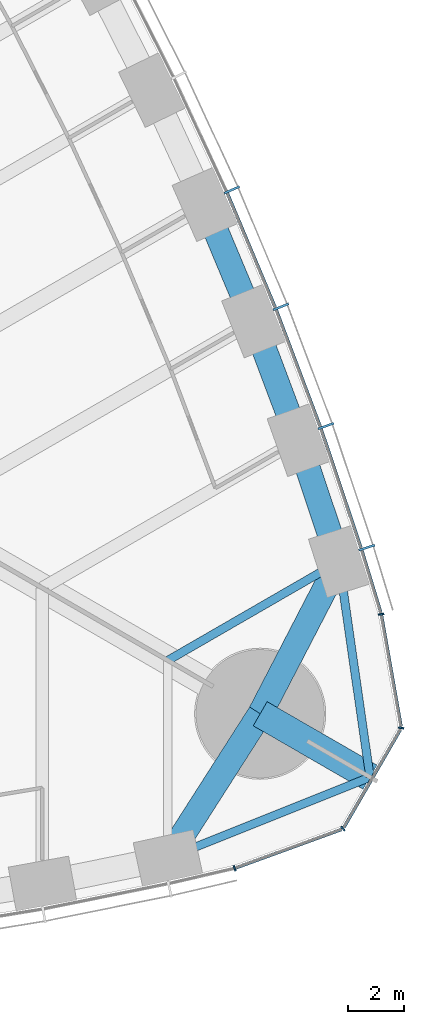
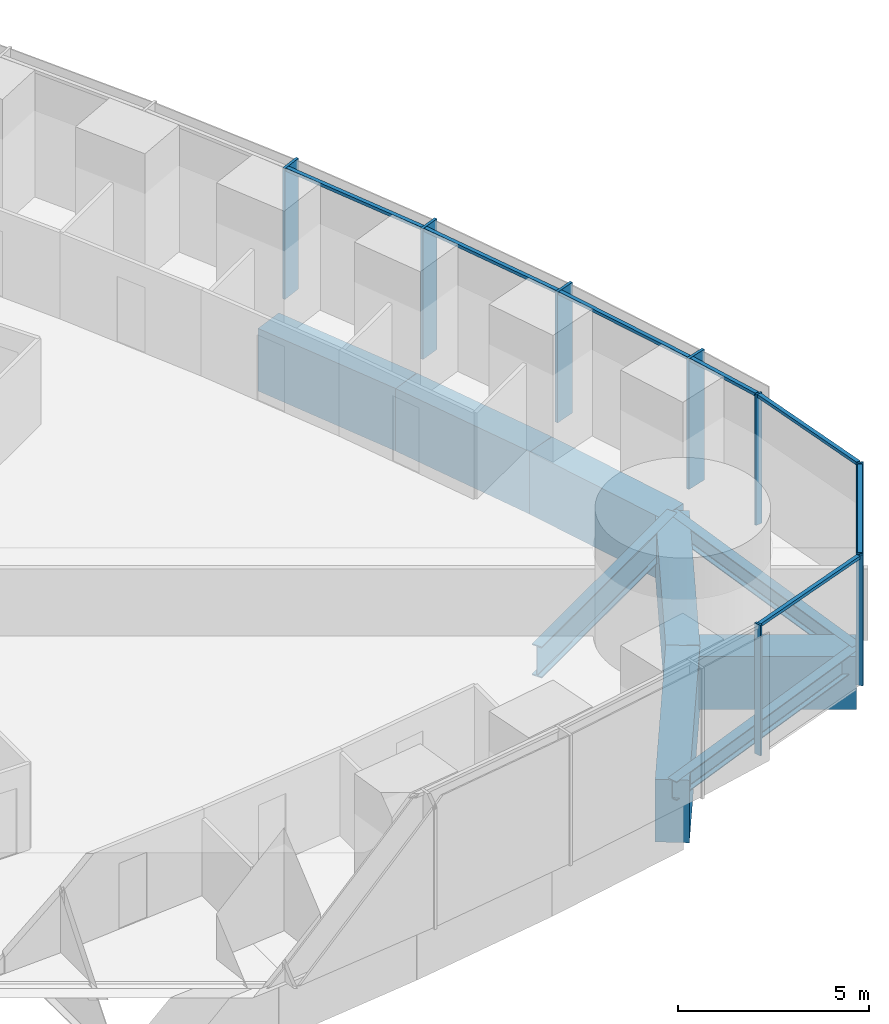
# One storey, part 7 of 19: 15 members, 9 beams, 2 elements without a shape of their own.
"""IFC4 building model written with IfcOpenShell, lengths in metres."""

from ifc_helpers import new_model, si_unit, direction, frame, origin, origin_2d, place, context, subcontext, project, spatial, rectangle, i_section, extrude, material, material_profile, profile_set, type_object, element, aggregate, save


model = new_model("IFC4")

# Units and contexts
model_context = context("Model", 3, precision=1e-05, world=origin(), true_north=direction((0.0, 1.0)))
body_context = subcontext(model_context, "Body", "Model", "MODEL_VIEW")
ifc_project = project(units=[si_unit("LENGTHUNIT", "METRE"), si_unit("AREAUNIT", "SQUARE_METRE"), si_unit("VOLUMEUNIT", "CUBIC_METRE"), si_unit("PLANEANGLEUNIT", "RADIAN"), si_unit("MASSUNIT", "GRAM", prefix="KILO")], contexts=[model_context])

# Site, building, storey
site_placement = place(None, origin())
site = spatial("IfcSite", under=ifc_project, at=site_placement, CompositionType="ELEMENT")
building_placement = place(site_placement, origin())
building = spatial("IfcBuilding", under=site, at=building_placement, Name="Trefoil Bronze Tower", CompositionType="ELEMENT")
storey_placement = place(building_placement, frame((0.0, 0.0, 107.300048828125)))
storey = spatial("IfcBuildingStorey", under=building, at=storey_placement, Name="L24", CompositionType="ELEMENT", Elevation=107.300048828125)

# Curtain wall, members
ifc_material_1 = material(Name="Tinted solar-control glass", Category="glass")
curtain_wall_type_1 = type_object("IfcCurtainWallType", Name="Bronze office curtain wall", PredefinedType="USERDEFINED", material=ifc_material_1)
curtain_wall_1_placement = place(storey_placement, origin())
curtain_wall_1 = element("IfcCurtainWall", 1, at=curtain_wall_1_placement, inside=storey, type_object=curtain_wall_type_1, Name="CW-A L24 F2", ObjectType="CURTAIN WALL", PredefinedType="USERDEFINED")
ifc_material_2 = material(Name="Bronze-finish aluminium", Category="aluminium")
ifc_material_profile_1 = material_profile(ifc_material_2, rectangle(XDim=0.60009765625, YDim=0.080078125, at=origin_2d()), Name="CW-A mullion")
ifc_profile_set_1 = profile_set([ifc_material_profile_1], Name="Bronze-finish aluminium")
member_type_1 = type_object("IfcMemberType", Name="Bronze office curtain wall mullion", PredefinedType="MULLION", material=ifc_profile_set_1)
member_1_placement = place(storey_placement, frame((34.1337890625, -11.543212890625, 0.0), z_axis=(0.0, 0.0, 1.0), x_axis=(-0.952331125357, -0.30506626768, 0.0)))
member_1 = element("IfcMember", 2, at=member_1_placement, type_object=member_type_1, Name="CW-A L24 F2 mullion 2", PredefinedType="MULLION", context=body_context, shape_type="SweptSolid", body=[
    extrude(rectangle(XDim=0.60009765625, YDim=0.080078125, at=origin_2d()), origin(), (0.0, 0.0, 1.0), 4.179931640625),
])
member_2_placement = place(storey_placement, frame((32.668701171875, -7.181884765625, 0.0), z_axis=(0.0, 0.0, 1.0), x_axis=(-0.94196250502, -0.335718094742, 0.0)))
member_2 = element("IfcMember", 3, at=member_2_placement, type_object=member_type_1, Name="CW-A L24 F2 mullion 3", PredefinedType="MULLION", context=body_context, shape_type="SweptSolid", body=[
    extrude(rectangle(XDim=0.60009765625, YDim=0.080078125, at=origin_2d()), origin(), (0.0, 0.0, 1.0), 4.179931640625),
])
member_3_placement = place(storey_placement, frame((31.055419921875, -2.90478515625, 0.0), z_axis=(0.0, 0.0, 1.0), x_axis=(-0.929071242848, -0.369900832269, 0.0)))
member_3 = element("IfcMember", 4, at=member_3_placement, type_object=member_type_1, Name="CW-A L24 F2 mullion 4", PredefinedType="MULLION", context=body_context, shape_type="SweptSolid", body=[
    extrude(rectangle(XDim=0.60009765625, YDim=0.080078125, at=origin_2d()), origin(), (0.0, 0.0, 1.0), 4.179931640625),
])
member_4_placement = place(storey_placement, frame((29.296875, 1.28857421875, 0.0), z_axis=(0.0, 0.0, 1.0), x_axis=(-0.915018269914, -0.40341240155, 0.0)))
member_4 = element("IfcMember", 5, at=member_4_placement, type_object=member_type_1, Name="CW-A L24 F2 mullion 5", PredefinedType="MULLION", context=body_context, shape_type="SweptSolid", body=[
    extrude(rectangle(XDim=0.60009765625, YDim=0.080078125, at=origin_2d()), origin(), (0.0, 0.0, 1.0), 4.179931640625),
])
ifc_material_3 = material(Name="Bronze-finish aluminium", Category="aluminium")
ifc_material_profile_2 = material_profile(ifc_material_3, rectangle(XDim=0.1201171875, YDim=0.10009765625, at=origin_2d()), Name="CW-A transom")
ifc_profile_set_2 = profile_set([ifc_material_profile_2], Name="Bronze-finish aluminium")
member_type_2 = type_object("IfcMemberType", Name="Bronze office curtain wall transom", PredefinedType="USERDEFINED", material=ifc_profile_set_2)
member_5_placement = place(storey_placement, frame((34.637939453125, -13.88232421875, 4.1298828125), z_axis=(-0.291680468798, 0.956515814883, 0.0), x_axis=(-0.956515814883, -0.291680468798, 0.0)))
member_5 = element("IfcMember", 6, at=member_5_placement, type_object=member_type_2, Name="CW-A L24 F2 transom 1", ObjectType="TRANSOM", PredefinedType="USERDEFINED", context=body_context, shape_type="SweptSolid", body=[
    extrude(rectangle(XDim=0.1201171875, YDim=0.10009765625, at=origin_2d()), origin(), (0.0, 0.0, 1.0), 2.34033203125),
])
member_6_placement = place(storey_placement, frame((33.929931640625, -11.56494140625, 4.1298828125), z_axis=(-0.318386323729, 0.947961048178, 0.0), x_axis=(-0.947961048178, -0.318386323729, 0.0)))
member_6 = element("IfcMember", 7, at=member_6_placement, type_object=member_type_2, Name="CW-A L24 F2 transom 2", ObjectType="TRANSOM", PredefinedType="USERDEFINED", context=body_context, shape_type="SweptSolid", body=[
    extrude(rectangle(XDim=0.1201171875, YDim=0.10009765625, at=origin_2d()), origin(), (0.0, 0.0, 1.0), 4.51123046875),
])
member_7_placement = place(storey_placement, frame((32.465576171875, -7.2099609375, 4.1298828125), z_axis=(-0.352932154759, 0.935648916067, 0.0), x_axis=(-0.935648916067, -0.352932154759, 0.0)))
member_7 = element("IfcMember", 8, at=member_7_placement, type_object=member_type_2, Name="CW-A L24 F2 transom 3", ObjectType="TRANSOM", PredefinedType="USERDEFINED", context=body_context, shape_type="SweptSolid", body=[
    extrude(rectangle(XDim=0.1201171875, YDim=0.10009765625, at=origin_2d()), origin(), (0.0, 0.0, 1.0), 4.48046875),
])
member_8_placement = place(storey_placement, frame((30.853515625, -2.940185546875, 4.1298828125), z_axis=(-0.386773266184, 0.922174842731, 0.0), x_axis=(-0.922174842731, -0.386773266184, 0.0)))
member_8 = element("IfcMember", 9, at=member_8_placement, type_object=member_type_2, Name="CW-A L24 F2 transom 4", ObjectType="TRANSOM", PredefinedType="USERDEFINED", context=body_context, shape_type="SweptSolid", body=[
    extrude(rectangle(XDim=0.1201171875, YDim=0.10009765625, at=origin_2d()), origin(), (0.0, 0.0, 1.0), 4.45654296875),
])
aggregate(curtain_wall_1, [member_1, member_2, member_3, member_4, member_5, member_6, member_7, member_8])

ifc_material_4 = material(Name="Tinted solar-control glass", Category="glass")
curtain_wall_type_2 = type_object("IfcCurtainWallType", Name="Bronze rounded corner curtain wall", PredefinedType="USERDEFINED", material=ifc_material_4)
curtain_wall_2_placement = place(storey_placement, origin())
curtain_wall_2 = element("IfcCurtainWall", 10, at=curtain_wall_2_placement, inside=storey, type_object=curtain_wall_type_2, Name="CW-B L24 K1", ObjectType="CURTAIN WALL", PredefinedType="USERDEFINED")
ifc_material_5 = material(Name="Bronze-finish aluminium", Category="aluminium")
ifc_material_profile_3 = material_profile(ifc_material_5, rectangle(XDim=0.199951171875, YDim=0.06005859375, at=origin_2d()), Name="CW-B mullion")
ifc_profile_set_3 = profile_set([ifc_material_profile_3], Name="Bronze-finish aluminium")
member_type_3 = type_object("IfcMemberType", Name="Bronze rounded corner curtain wall mullion", PredefinedType="MULLION", material=ifc_profile_set_3)
member_9_placement = place(storey_placement, frame((29.391845703125, -23.043701171875, 0.0), z_axis=(0.0, 0.0, 1.0), x_axis=(-0.342020143326, 0.939692620786, 0.0)))
member_9 = element("IfcMember", 11, at=member_9_placement, type_object=member_type_3, Name="CW-B L24 K1 mullion 1", PredefinedType="MULLION", context=body_context, shape_type="SweptSolid", body=[
    extrude(rectangle(XDim=0.199951171875, YDim=0.06005859375, at=origin_2d()), origin(), (0.0, 0.0, 1.0), 4.179931640625),
])
member_10_placement = place(storey_placement, frame((33.27880859375, -21.62255859375, 0.0), z_axis=(0.0, 0.0, 1.0), x_axis=(-0.642787609687, 0.766044443119, 0.0)))
member_10 = element("IfcMember", 12, at=member_10_placement, type_object=member_type_3, Name="CW-B L24 K1 mullion 2", PredefinedType="MULLION", context=body_context, shape_type="SweptSolid", body=[
    extrude(rectangle(XDim=0.199951171875, YDim=0.06005859375, at=origin_2d()), origin(), (0.0, 0.0, 1.0), 4.179931640625),
])
member_11_placement = place(storey_placement, frame((35.364990234375, -18.009033203125, 0.0), z_axis=(0.0, 0.0, 1.0), x_axis=(-0.984807753012, 0.173648177667, 0.0)))
member_11 = element("IfcMember", 13, at=member_11_placement, type_object=member_type_3, Name="CW-B L24 K1 mullion 3", PredefinedType="MULLION", context=body_context, shape_type="SweptSolid", body=[
    extrude(rectangle(XDim=0.199951171875, YDim=0.06005859375, at=origin_2d()), origin(), (0.0, 0.0, 1.0), 4.179931640625),
])
member_12_placement = place(storey_placement, frame((34.65234375, -13.932373046875, 0.0), z_axis=(0.0, 0.0, 1.0), x_axis=(-0.984807753012, -0.173648177667, 0.0)))
member_12 = element("IfcMember", 14, at=member_12_placement, type_object=member_type_3, Name="CW-B L24 K1 mullion 4", PredefinedType="MULLION", context=body_context, shape_type="SweptSolid", body=[
    extrude(rectangle(XDim=0.199951171875, YDim=0.06005859375, at=origin_2d()), origin(), (0.0, 0.0, 1.0), 4.179931640625),
])
ifc_material_6 = material(Name="Bronze-finish aluminium", Category="aluminium")
ifc_material_profile_4 = material_profile(ifc_material_6, rectangle(XDim=0.1201171875, YDim=0.10009765625, at=origin_2d()), Name="CW-B transom")
ifc_profile_set_4 = profile_set([ifc_material_profile_4], Name="Bronze-finish aluminium")
member_type_4 = type_object("IfcMemberType", Name="Bronze rounded corner curtain wall transom", PredefinedType="USERDEFINED", material=ifc_profile_set_4)
member_13_placement = place(storey_placement, frame((29.420166015625, -23.033447265625, 4.1298828125), z_axis=(0.939684096629, 0.342043562347, 0.0), x_axis=(-0.342043562347, 0.939684096629, 0.0)))
member_13 = element("IfcMember", 15, at=member_13_placement, type_object=member_type_4, Name="CW-B L24 K1 transom 1", ObjectType="TRANSOM", PredefinedType="USERDEFINED", context=body_context, shape_type="SweptSolid", body=[
    extrude(rectangle(XDim=0.1201171875, YDim=0.10009765625, at=origin_2d()), origin(), (0.0, 0.0, 1.0), 4.044189453125),
])
member_14_placement = place(storey_placement, frame((33.31591796875, -21.570068359375, 4.1298828125), z_axis=(0.500015078168, 0.866016698225, 0.0), x_axis=(-0.866016698225, 0.500015078168, 0.0)))
member_14 = element("IfcMember", 16, at=member_14_placement, type_object=member_type_4, Name="CW-B L24 K1 transom 2", ObjectType="TRANSOM", PredefinedType="USERDEFINED", context=body_context, shape_type="SweptSolid", body=[
    extrude(rectangle(XDim=0.1201171875, YDim=0.10009765625, at=origin_2d()), origin(), (0.0, 0.0, 1.0), 4.04443359375),
])
member_15_placement = place(storey_placement, frame((35.35986328125, -17.944580078125, 4.1298828125), z_axis=(-0.173682016639, 0.984801785689, 0.0), x_axis=(-0.984801785689, -0.173682016639, 0.0)))
member_15 = element("IfcMember", 17, at=member_15_placement, type_object=member_type_4, Name="CW-B L24 K1 transom 3", ObjectType="TRANSOM", PredefinedType="USERDEFINED", context=body_context, shape_type="SweptSolid", body=[
    extrude(rectangle(XDim=0.1201171875, YDim=0.10009765625, at=origin_2d()), origin(), (0.0, 0.0, 1.0), 4.044189453125),
])
aggregate(curtain_wall_2, [member_9, member_10, member_11, member_12, member_13, member_14, member_15])

# Beams
ifc_material_7 = material(Name="Concrete B80", Category="concrete")
ifc_material_profile_5 = material_profile(ifc_material_7, rectangle(XDim=1.0, YDim=1.699951171875, at=origin_2d()), Name="RC 1000x1700")
ifc_profile_set_5 = profile_set([ifc_material_profile_5], Name="Concrete B80")
beam_type_1 = type_object("IfcBeamType", Name="Corner cantilever RC 1000x1700", PredefinedType="BEAM", material=ifc_profile_set_5)
beam_1_placement = place(storey_placement, frame((30.310791015625, -17.5, -1.050048828125), z_axis=(0.866031878637, -0.499988785058, 0.0), x_axis=(0.499988785058, 0.866031878637, 0.0)))
element("IfcBeam", 18, at=beam_1_placement, inside=storey, type_object=beam_type_1, Name="Corner cantilever K1 L24", PredefinedType="BEAM", context=body_context, shape_type="SweptSolid", body=[
    extrude(rectangle(XDim=1.0, YDim=1.699951171875, at=origin_2d()), origin(), (0.0, 0.0, 1.0), 4.54931640625),
])
ifc_material_8 = material(Name="Steel C355", Category="steel")
ifc_material_profile_6 = material_profile(ifc_material_8, i_section(OverallWidth=0.300048828125, OverallDepth=0.60009765625, WebThickness=0.015380859375, FlangeThickness=0.030029296875, FilletRadius=0.027099609375, at=origin_2d()), Name="HEB 600")
ifc_profile_set_6 = profile_set([ifc_material_profile_6], Name="Steel C355")
beam_type_2 = type_object("IfcBeamType", Name="Corner edge beam HEB 600", PredefinedType="BEAM", material=ifc_profile_set_6)
for number, where, z_axis, x_axis, name in (
    (19, (27.0, -22.67724609375, -0.5), (0.928375332495, 0.371643972122, 0.0), (-0.371643972122, 0.928375332495, 0.0), "Corner edge beam F1A L24"),
    (20, (33.13916015625, -12.044189453125, -0.5), (0.142327214588, -0.989819662357, 0.0), (0.989819662357, 0.142327214588, 0.0), "Corner edge beam F2B L24"),
):
    element("IfcBeam", number, at=place(storey_placement, frame(where, z_axis=z_axis, x_axis=x_axis)), inside=storey, type_object=beam_type_2, Name=name, PredefinedType="BEAM", context=body_context, shape_type="SweptSolid", body=[
        extrude(i_section(OverallWidth=0.300048828125, OverallDepth=0.60009765625, WebThickness=0.015380859375, FlangeThickness=0.030029296875, FilletRadius=0.027099609375, at=origin_2d()), origin(), (0.0, 0.0, 1.0), 7.81005859375),
    ])
ifc_material_9 = material(Name="Concrete B80", Category="concrete")
ifc_material_profile_7 = material_profile(ifc_material_9, rectangle(XDim=0.89990234375, YDim=2.0, at=origin_2d()), Name="RC 900x2000")
ifc_profile_set_7 = profile_set([ifc_material_profile_7], Name="Concrete B80")
beam_type_3 = type_object("IfcBeamType", Name="End spandrel beam RC 900x2000", PredefinedType="SPANDREL", material=ifc_profile_set_7)
for number, where, z_axis, x_axis, name in (
    (21, (27.0, -22.67724609375, -1.199951171875), (0.53874814953, 0.84246687257, 0.0), (-0.84246687257, 0.53874814953, 0.0), "Spandrel F1.14 L24"),
    (22, (30.310791015625, -17.5, -1.199951171875), (0.460244107083, 0.887792409235, 0.0), (-0.887792409235, 0.460244107083, 0.0), "Spandrel F2.1 L24"),
):
    element("IfcBeam", number, at=place(storey_placement, frame(where, z_axis=z_axis, x_axis=x_axis)), inside=storey, type_object=beam_type_3, Name=name, PredefinedType="SPANDREL", context=body_context, shape_type="SweptSolid", body=[
        extrude(rectangle(XDim=0.89990234375, YDim=2.0, at=origin_2d()), origin(), (0.0, 0.0, 1.0), 6.145263671875),
    ])
ifc_material_10 = material(Name="Steel C355", Category="steel")
ifc_material_profile_8 = material_profile(ifc_material_10, i_section(OverallWidth=0.300048828125, OverallDepth=1.0, WebThickness=0.01904296875, FlangeThickness=0.035888671875, FilletRadius=0.030029296875, at=origin_2d()), Name="HEB 1000")
ifc_profile_set_8 = profile_set([ifc_material_profile_8], Name="Steel C355")
beam_type_4 = type_object("IfcBeamType", Name="Floor beam HEB 1000", PredefinedType="BEAM", material=ifc_profile_set_8)
beam_2_placement = place(storey_placement, frame((33.13916015625, -12.044189453125, -0.699951171875), z_axis=(-0.866041060244, -0.499972881236, 0.0), x_axis=(0.499972881236, -0.866041060244, 0.0)))
element("IfcBeam", 23, at=beam_2_placement, inside=storey, type_object=beam_type_4, Name="Floor beam F2/-6 L24", PredefinedType="BEAM", context=body_context, shape_type="SweptSolid", body=[
    extrude(i_section(OverallWidth=0.300048828125, OverallDepth=1.0, WebThickness=0.01904296875, FlangeThickness=0.035888671875, FilletRadius=0.030029296875, at=origin_2d()), origin(), (0.0, 0.0, 1.0), 7.0888671875),
])
ifc_material_11 = material(Name="Concrete B80", Category="concrete")
ifc_material_profile_9 = material_profile(ifc_material_11, rectangle(XDim=0.89990234375, YDim=2.0, at=origin_2d()), Name="RC 900x2000")
ifc_profile_set_9 = profile_set([ifc_material_profile_9], Name="Concrete B80")
beam_type_5 = type_object("IfcBeamType", Name="Spandrel beam RC 900x2000", PredefinedType="SPANDREL", material=ifc_profile_set_9)
beam_3_placement = place(storey_placement, frame((33.13916015625, -12.044189453125, -1.199951171875), z_axis=(-0.31732802068, 0.948315837309, 0.0), x_axis=(-0.948315837309, -0.31732802068, 0.0)))
element("IfcBeam", 24, at=beam_3_placement, inside=storey, type_object=beam_type_5, Name="Spandrel F2.2 L24", PredefinedType="SPANDREL", context=body_context, shape_type="SweptSolid", body=[
    extrude(rectangle(XDim=0.89990234375, YDim=2.0, at=origin_2d()), origin(), (0.0, 0.0, 1.0), 4.59228515625),
])
beam_4_placement = place(storey_placement, frame((31.681884765625, -7.689208984375, -1.199951171875), z_axis=(-0.351938675523, 0.936023059904, 0.0), x_axis=(-0.936023059904, -0.351938675523, 0.0)))
element("IfcBeam", 25, at=beam_4_placement, inside=storey, type_object=beam_type_5, Name="Spandrel F2.3 L24", PredefinedType="SPANDREL", context=body_context, shape_type="SweptSolid", body=[
    extrude(rectangle(XDim=0.89990234375, YDim=2.0, at=origin_2d()), origin(), (0.0, 0.0, 1.0), 4.56103515625),
])
beam_5_placement = place(storey_placement, frame((30.07666015625, -3.419921875, -1.199951171875), z_axis=(-0.386013490858, 0.922493135408, 0.0), x_axis=(-0.922493135408, -0.386013490858, 0.0)))
element("IfcBeam", 26, at=beam_5_placement, inside=storey, type_object=beam_type_5, Name="Spandrel F2.4 L24", PredefinedType="SPANDREL", context=body_context, shape_type="SweptSolid", body=[
    extrude(rectangle(XDim=0.89990234375, YDim=2.0, at=origin_2d()), origin(), (0.0, 0.0, 1.0), 4.53662109375),
])

save(model, "model.ifc")
